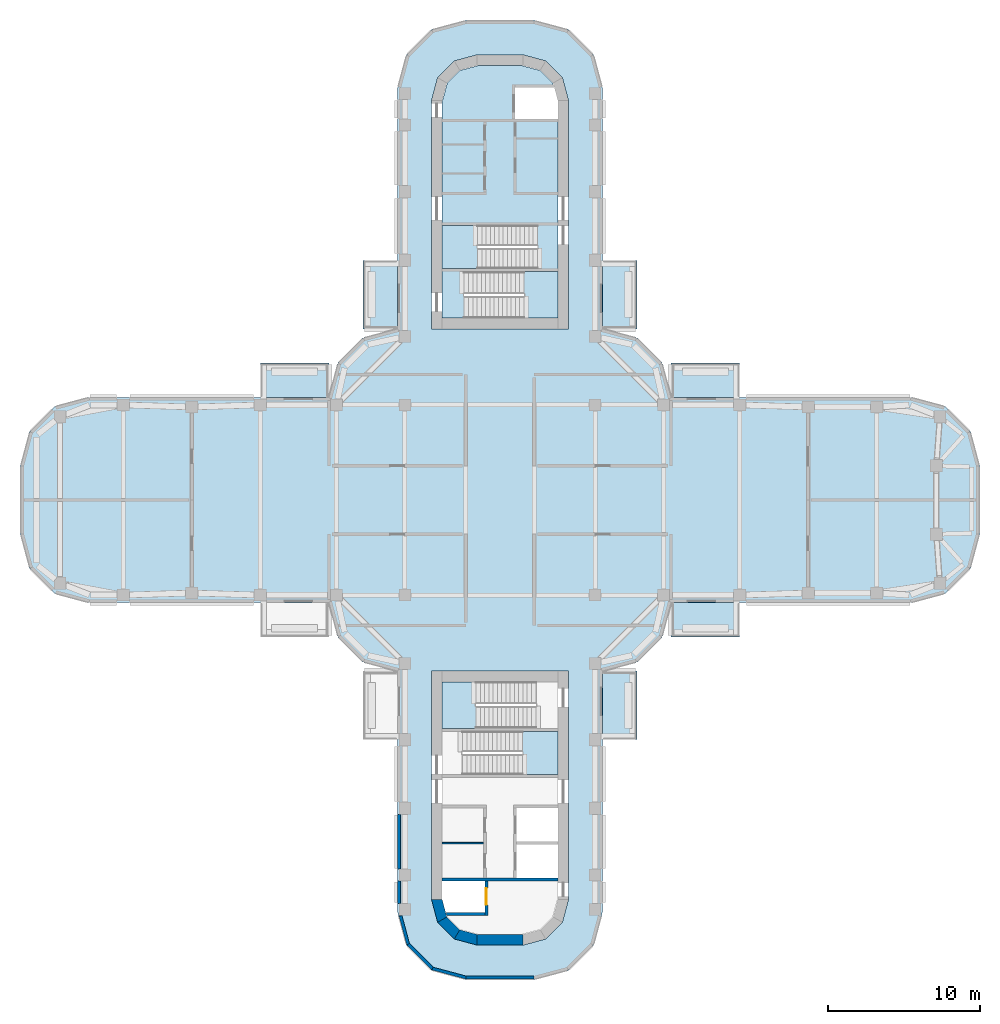
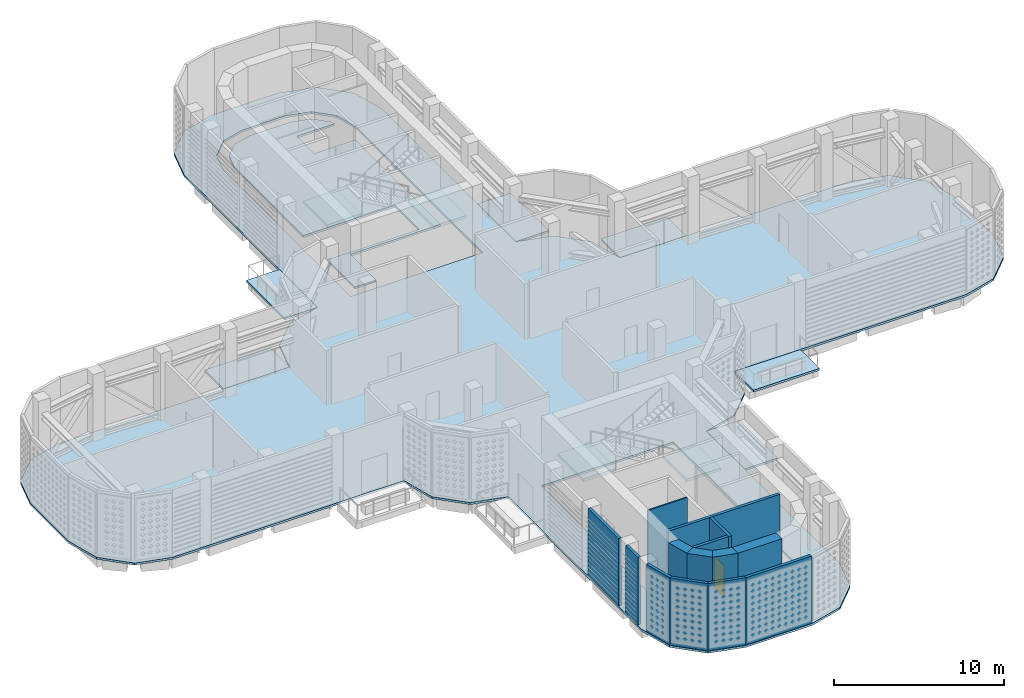
# One storey, part 4 of 21: 14 walls, 12 slabs, 1 door, 1 opening, 4 elements without a shape of their own.
"""IFC4 building model written with IfcOpenShell, lengths in metres."""

from ifc_helpers import new_model, si_unit, direction, frame, frame_2d, origin, place, context, subcontext, project, spatial, polyline, rectangle, outline, extrude, material, layer, layer_set, type_object, element, fill, aggregate, save


model = new_model("IFC4")

# Units and contexts
model_context = context("Model", 3, precision=1e-05, world=origin(), true_north=direction((0.0, 1.0)))
body_context = subcontext(model_context, "Body", "Model", "MODEL_VIEW")
ifc_project = project(units=[si_unit("LENGTHUNIT", "METRE"), si_unit("AREAUNIT", "SQUARE_METRE"), si_unit("VOLUMEUNIT", "CUBIC_METRE"), si_unit("PLANEANGLEUNIT", "RADIAN"), si_unit("MASSUNIT", "GRAM", prefix="KILO")], contexts=[model_context])

# Site, building, storey
site_placement = place(None, origin())
site = spatial("IfcSite", under=ifc_project, at=site_placement, CompositionType="ELEMENT")
building_placement = place(site_placement, origin())
building = spatial("IfcBuilding", under=site, at=building_placement, Name="Zarbagh Exchange Tower", CompositionType="ELEMENT")
storey_placement = place(building_placement, frame((0.0, 0.0, 190.39990234375)))
storey = spatial("IfcBuildingStorey", under=building, at=storey_placement, Name="L46", CompositionType="ELEMENT", Elevation=190.39990234375)

# Slabs
ifc_material_1 = material(Name="Concrete C40/50", Category="concrete")
ifc_layer_1 = layer(ifc_material_1, 0.14990234375)
ifc_layer_set_1 = layer_set([ifc_layer_1], Name="Composite floor slab 150 C40/50")
slab_type_1 = type_object("IfcSlabType", Name="Composite floor slab 150 C40/50", PredefinedType="FLOOR", material=ifc_layer_set_1)
slab_1_placement = place(storey_placement, frame((0.0, 0.0, -0.14990234375)))
element("IfcSlab", 1, at=slab_1_placement, inside=storey, type_object=slab_type_1, Name="S5 composite floor slab", PredefinedType="FLOOR", context=body_context, shape_type="SweptSolid", body=[
    extrude(outline(polyline([(-2.25, -31.5), (-4.5, -30.897216796875), (-6.147216796875, -29.25), (-6.75, -27.0), (-6.75, -11.25), (-9.0, -10.647216796875), (-10.647216796875, -9.0), (-11.25, -6.75), (-27.0, -6.75), (-29.25, -6.147216796875), (-30.897216796875, -4.5), (-31.5, -2.25), (-31.5, 2.25), (-30.897216796875, 4.5), (-29.25, 6.147216796875), (-27.0, 6.75), (-11.25, 6.75), (-10.647216796875, 9.0), (-9.0, 10.647216796875), (-6.75, 11.25), (-6.75, 27.0), (-6.147216796875, 29.25), (-4.5, 30.897216796875), (-2.25, 31.5), (2.25, 31.5), (4.5, 30.897216796875), (6.147216796875, 29.25), (6.75, 27.0), (6.75, 11.25), (9.0, 10.647216796875), (10.647216796875, 9.0), (11.25, 6.75), (27.0, 6.75), (29.25, 6.147216796875), (30.897216796875, 4.5), (31.5, 2.25), (31.5, -2.25), (30.897216796875, -4.5), (29.25, -6.147216796875), (27.0, -6.75), (11.25, -6.75), (10.647216796875, -9.0), (9.0, -10.647216796875), (6.75, -11.25), (6.75, -27.0), (6.147216796875, -29.25), (4.5, -30.897216796875), (2.25, -31.5), (-2.25, -31.5)]), holes=[polyline([(4.5, 11.25), (4.5, 26.25), (4.09814453125, 27.75), (3.0, 28.84814453125), (1.5, 29.25), (-1.5, 29.25), (-3.0, 28.84814453125), (-4.09814453125, 27.75), (-4.5, 26.25), (-4.5, 11.25), (4.5, 11.25)]), polyline([(-1.5, -29.25), (1.5, -29.25), (3.0, -28.84814453125), (4.09814453125, -27.75), (4.5, -26.25), (4.5, -11.25), (-4.5, -11.25), (-4.5, -26.25), (-4.09814453125, -27.75), (-3.0, -28.84814453125), (-1.5, -29.25)])]), origin(), (0.0, 0.0, 1.0), 0.14990234375),
])
ifc_layer_2 = layer(ifc_material_1, 0.14990234375)
ifc_layer_set_2 = layer_set([ifc_layer_2], Name="Core floor slab 150 C40/50")
slab_type_2 = type_object("IfcSlabType", Name="Core floor slab 150 C40/50", PredefinedType="FLOOR", material=ifc_layer_set_2)
slab_2_placement = place(storey_placement, frame((0.0, 0.0, -0.14990234375)))
element("IfcSlab", 2, at=slab_2_placement, inside=storey, type_object=slab_type_2, Name="S17 core N", PredefinedType="FLOOR", context=body_context, shape_type="SweptSolid", body=[
    extrude(outline(polyline([(-3.800048828125, 11.949951171875), (-3.800048828125, 15.199951171875), (2.449951171875, 15.199951171875), (2.449951171875, 18.050048828125), (-3.800048828125, 18.050048828125), (-3.800048828125, 26.15771484375), (-3.470458984375, 27.3876953125), (-2.6376953125, 28.220458984375), (-1.40771484375, 28.550048828125), (1.40771484375, 28.550048828125), (2.6376953125, 28.220458984375), (3.470458984375, 27.3876953125), (3.800048828125, 26.15771484375), (3.800048828125, 26.15771484375), (3.547607421875, 27.10009765625), (1.0, 27.10009765625), (1.0, 25.050048828125), (3.800048828125, 25.050048828125), (3.800048828125, 15.0), (-2.35009765625, 15.0), (-2.35009765625, 11.949951171875), (-3.800048828125, 11.949951171875)])), origin(), (0.0, 0.0, 1.0), 0.14990234375),
])

# Stair, slab
stair_type = type_object("IfcStairType", Name="Exit stair two-flight half-turn", PredefinedType="HALF_TURN_STAIR", material=ifc_material_1)
stair_1_placement = place(storey_placement, origin())
stair_1 = element("IfcStair", 3, at=stair_1_placement, inside=storey, type_object=stair_type, Name="exit stair ST1", PredefinedType="HALF_TURN_STAIR")
ifc_layer_3 = layer(ifc_material_1, 0.199951171875)
ifc_layer_set_3 = layer_set([ifc_layer_3], Name="Stair landing 200 mm")
slab_type_3 = type_object("IfcSlabType", Name="Stair landing 200 mm", PredefinedType="LANDING", material=ifc_layer_set_3)
slab_3_placement = place(storey_placement, frame((0.0, 0.0, 2.300048828125)))
slab_3 = element("IfcSlab", 4, at=slab_3_placement, type_object=slab_type_3, Name="ST1 landing 1", PredefinedType="LANDING", context=body_context, shape_type="SweptSolid", body=[
    extrude(outline(polyline([(-1.469970703125, 18.050048828125), (-3.800048828125, 18.050048828125), (-3.800048828125, 15.199951171875), (-1.469970703125, 15.199951171875), (-1.469970703125, 18.050048828125)])), origin(), (0.0, 0.0, 1.0), 0.199951171875),
])
aggregate(stair_1, [slab_3])

stair_2_placement = place(storey_placement, origin())
stair_2 = element("IfcStair", 5, at=stair_2_placement, inside=storey, type_object=stair_type, Name="exit stair ST2", PredefinedType="HALF_TURN_STAIR")
slab_4_placement = place(storey_placement, frame((0.0, 0.0, 2.300048828125)))
slab_4 = element("IfcSlab", 6, at=slab_4_placement, type_object=slab_type_3, Name="ST2 landing 1", PredefinedType="LANDING", context=body_context, shape_type="SweptSolid", body=[
    extrude(outline(polyline([(1.570068359375, 11.949951171875), (3.800048828125, 11.949951171875), (3.800048828125, 15.0), (1.570068359375, 15.0), (1.570068359375, 11.949951171875)])), origin(), (0.0, 0.0, 1.0), 0.199951171875),
])
aggregate(stair_2, [slab_4])

stair_3_placement = place(storey_placement, origin())
stair_3 = element("IfcStair", 7, at=stair_3_placement, inside=storey, type_object=stair_type, Name="exit stair ST3", PredefinedType="HALF_TURN_STAIR")
slab_5_placement = place(storey_placement, frame((0.0, 0.0, 2.300048828125)))
slab_5 = element("IfcSlab", 8, at=slab_5_placement, type_object=slab_type_3, Name="ST3 landing 1", PredefinedType="LANDING", context=body_context, shape_type="SweptSolid", body=[
    extrude(outline(polyline([(1.469970703125, -18.050048828125), (3.800048828125, -18.050048828125), (3.800048828125, -15.199951171875), (1.469970703125, -15.199951171875), (1.469970703125, -18.050048828125)])), origin(), (0.0, 0.0, 1.0), 0.199951171875),
])
aggregate(stair_3, [slab_5])

stair_4_placement = place(storey_placement, origin())
stair_4 = element("IfcStair", 9, at=stair_4_placement, inside=storey, type_object=stair_type, Name="exit stair ST4", PredefinedType="HALF_TURN_STAIR")
slab_6_placement = place(storey_placement, frame((0.0, 0.0, 2.300048828125)))
slab_6 = element("IfcSlab", 10, at=slab_6_placement, type_object=slab_type_3, Name="ST4 landing 1", PredefinedType="LANDING", context=body_context, shape_type="SweptSolid", body=[
    extrude(outline(polyline([(-1.570068359375, -11.949951171875), (-3.800048828125, -11.949951171875), (-3.800048828125, -15.0), (-1.570068359375, -15.0), (-1.570068359375, -11.949951171875)])), origin(), (0.0, 0.0, 1.0), 0.199951171875),
])
aggregate(stair_4, [slab_6])

# Slabs
ifc_layer_4 = layer(ifc_material_1, 0.14990234375)
ifc_layer_set_4 = layer_set([ifc_layer_4], Name="Winter garden terrace slab 150 C40/50")
slab_type_4 = type_object("IfcSlabType", Name="Winter garden terrace slab 150 C40/50", PredefinedType="USERDEFINED", material=ifc_layer_set_4)
slab_7_placement = place(storey_placement, frame((0.0, 0.0, -0.14990234375)))
element("IfcSlab", 11, at=slab_7_placement, inside=storey, type_object=slab_type_4, Name="S9 winter garden terrace slab", ObjectType="Winter garden slab", PredefinedType="USERDEFINED", context=body_context, shape_type="SweptSolid", body=[
    extrude(outline(polyline([(9.0, 11.25), (9.0, 15.75), (6.75, 15.75), (6.75, 11.25), (9.0, 11.25)])), origin(), (0.0, 0.0, 1.0), 0.14990234375),
])
slab_8_placement = place(storey_placement, frame((0.0, 0.0, -0.14990234375)))
element("IfcSlab", 12, at=slab_8_placement, inside=storey, type_object=slab_type_4, Name="S9 winter garden terrace slab", ObjectType="Winter garden slab", PredefinedType="USERDEFINED", context=body_context, shape_type="SweptSolid", body=[
    extrude(outline(polyline([(15.75, 6.75), (15.75, 9.0), (11.25, 9.0), (11.25, 6.75), (15.75, 6.75)])), origin(), (0.0, 0.0, 1.0), 0.14990234375),
])
slab_9_placement = place(storey_placement, frame((0.0, 0.0, -0.14990234375)))
element("IfcSlab", 13, at=slab_9_placement, inside=storey, type_object=slab_type_4, Name="S9 winter garden terrace slab", ObjectType="Winter garden slab", PredefinedType="USERDEFINED", context=body_context, shape_type="SweptSolid", body=[
    extrude(outline(polyline([(9.0, -15.75), (9.0, -11.25), (6.75, -11.25), (6.75, -15.75), (9.0, -15.75)])), origin(), (0.0, 0.0, 1.0), 0.14990234375),
])
slab_10_placement = place(storey_placement, frame((0.0, 0.0, -0.14990234375)))
element("IfcSlab", 14, at=slab_10_placement, inside=storey, type_object=slab_type_4, Name="S9 winter garden terrace slab", ObjectType="Winter garden slab", PredefinedType="USERDEFINED", context=body_context, shape_type="SweptSolid", body=[
    extrude(outline(polyline([(15.75, -9.0), (15.75, -6.75), (11.25, -6.75), (11.25, -9.0), (15.75, -9.0)])), origin(), (0.0, 0.0, 1.0), 0.14990234375),
])
slab_11_placement = place(storey_placement, frame((0.0, 0.0, -0.14990234375)))
element("IfcSlab", 15, at=slab_11_placement, inside=storey, type_object=slab_type_4, Name="S9 winter garden terrace slab", ObjectType="Winter garden slab", PredefinedType="USERDEFINED", context=body_context, shape_type="SweptSolid", body=[
    extrude(outline(polyline([(-6.75, 11.25), (-6.75, 15.75), (-9.0, 15.75), (-9.0, 11.25), (-6.75, 11.25)])), origin(), (0.0, 0.0, 1.0), 0.14990234375),
])
slab_12_placement = place(storey_placement, frame((0.0, 0.0, -0.14990234375)))
element("IfcSlab", 16, at=slab_12_placement, inside=storey, type_object=slab_type_4, Name="S9 winter garden terrace slab", ObjectType="Winter garden slab", PredefinedType="USERDEFINED", context=body_context, shape_type="SweptSolid", body=[
    extrude(outline(polyline([(-11.25, 6.75), (-11.25, 9.0), (-15.75, 9.0), (-15.75, 6.75), (-11.25, 6.75)])), origin(), (0.0, 0.0, 1.0), 0.14990234375),
])

# Walls
ifc_material_2 = material(Name="Dense blockwork", Category="masonry")
ifc_layer_5 = layer(ifc_material_2, 0.10009765625)
ifc_layer_set_5 = layer_set([ifc_layer_5], Name="Core partition 100 mm blockwork")
wall_type_1 = type_object("IfcWallType", Name="Core partition 100 mm blockwork", PredefinedType="PARTITIONING", material=ifc_layer_set_5)
wall_1_placement = place(storey_placement, frame((-1.10009765625, -22.550048828125, 0.0), z_axis=(0.0, 0.0, 1.0), x_axis=(-1.0, 0.0, 0.0)))
element("IfcWall", 17, at=wall_1_placement, inside=storey, type_object=wall_type_1, Name="South core partition wall CUT-E-580", PredefinedType="PARTITIONING", context=body_context, shape_type="SweptSolid", body=[
    extrude(rectangle(XDim=2.699951171875, YDim=0.10009765625, at=frame_2d((1.35009765625, 0.0))), origin(), (0.0, 0.0, 1.0), 4.85009765625),
])
ifc_material_3 = material(Name="Precast concrete C50/60", Category="concrete")
ifc_layer_6 = layer(ifc_material_3, 0.199951171875)
ifc_layer_set_6 = layer_set([ifc_layer_6], Name="Plant wall, precast concrete C50/60")
wall_type_2 = type_object("IfcWallType", Name="Plant wall, precast concrete C50/60", PredefinedType="SOLIDWALL", material=ifc_layer_set_6)
wall_2_placement = place(storey_placement, origin())
element("IfcWall", 18, at=wall_2_placement, inside=storey, type_object=wall_type_2, Name="PW80 plant wall", PredefinedType="SOLIDWALL", context=body_context, shape_type="SweptSolid", body=[
    extrude(outline(polyline([(-6.72998046875, -20.64990234375), (-6.72998046875, -24.25), (-6.530029296875, -24.25), (-6.530029296875, -20.64990234375), (-6.72998046875, -20.64990234375)])), origin(), (0.0, 0.0, 1.0), 4.85009765625),
])
wall_3_placement = place(storey_placement, origin())
element("IfcWall", 19, at=wall_3_placement, inside=storey, type_object=wall_type_2, Name="PW80 plant wall", PredefinedType="SOLIDWALL", context=body_context, shape_type="SweptSolid", body=[
    extrude(outline(polyline([(-6.72998046875, -25.050048828125), (-6.72998046875, -26.5), (-6.530029296875, -26.5), (-6.530029296875, -25.050048828125), (-6.72998046875, -25.050048828125)])), origin(), (0.0, 0.0, 1.0), 4.85009765625),
])
wall_4_placement = place(storey_placement, origin())
element("IfcWall", 20, at=wall_4_placement, inside=storey, type_object=wall_type_2, Name="PW81 plant wall", PredefinedType="SOLIDWALL", context=body_context, shape_type="SweptSolid", body=[
    extrude(outline(polyline([(-6.634765625, -27.352294921875), (-6.129150390625, -29.23974609375), (-5.949951171875, -29.13623046875), (-6.441650390625, -27.300537109375), (-6.634765625, -27.352294921875)])), origin(), (0.0, 0.0, 1.0), 4.85009765625),
])
wall_5_placement = place(storey_placement, origin())
element("IfcWall", 21, at=wall_5_placement, inside=storey, type_object=wall_type_2, Name="PW82 plant wall", PredefinedType="SOLIDWALL", context=body_context, shape_type="SweptSolid", body=[
    extrude(outline(polyline([(-6.129150390625, -29.23974609375), (-4.48974609375, -30.879150390625), (-4.38623046875, -30.699951171875), (-5.949951171875, -29.13623046875), (-6.129150390625, -29.23974609375)])), origin(), (0.0, 0.0, 1.0), 4.85009765625),
])
wall_6_placement = place(storey_placement, origin())
element("IfcWall", 22, at=wall_6_placement, inside=storey, type_object=wall_type_2, Name="PW83 plant wall", PredefinedType="SOLIDWALL", context=body_context, shape_type="SweptSolid", body=[
    extrude(outline(polyline([(-4.48974609375, -30.879150390625), (-2.247314453125, -31.47998046875), (-2.220947265625, -31.280029296875), (-4.38623046875, -30.699951171875), (-4.48974609375, -30.879150390625)])), origin(), (0.0, 0.0, 1.0), 4.85009765625),
])
wall_7_placement = place(storey_placement, origin())
element("IfcWall", 23, at=wall_7_placement, inside=storey, type_object=wall_type_2, Name="PW84 plant wall", PredefinedType="SOLIDWALL", context=body_context, shape_type="SweptSolid", body=[
    extrude(outline(polyline([(-2.247314453125, -31.47998046875), (2.247314453125, -31.47998046875), (2.220947265625, -31.280029296875), (-2.220947265625, -31.280029296875), (-2.247314453125, -31.47998046875)])), origin(), (0.0, 0.0, 1.0), 4.85009765625),
])
ifc_material_4 = material(Name="Concrete C50/60", Category="concrete")
ifc_layer_7 = layer(ifc_material_4, 0.699951171875)
ifc_layer_set_7 = layer_set([ifc_layer_7], Name="RC core corner wall 700 C50/60")
wall_type_3 = type_object("IfcWallType", Name="RC core corner wall 700 C50/60", PredefinedType="SHEAR", material=ifc_layer_set_7)
wall_8_placement = place(storey_placement, origin())
element("IfcWall", 24, at=wall_8_placement, inside=storey, type_object=wall_type_3, Name="CW6 core S corner W", PredefinedType="SHEAR", context=body_context, shape_type="SweptSolid", body=[
    extrude(outline(polyline([(-4.5, -26.25), (-4.09814453125, -27.75), (-3.491943359375, -27.39990234375), (-3.800048828125, -26.25), (-4.5, -26.25)])), origin(), (0.0, 0.0, 1.0), 5.0),
])
wall_9_placement = place(storey_placement, origin())
element("IfcWall", 25, at=wall_9_placement, inside=storey, type_object=wall_type_3, Name="CW6 core S corner W", PredefinedType="SHEAR", context=body_context, shape_type="SweptSolid", body=[
    extrude(outline(polyline([(-4.09814453125, -27.75), (-3.0, -28.84814453125), (-2.64990234375, -28.241943359375), (-3.491943359375, -27.39990234375), (-4.09814453125, -27.75)])), origin(), (0.0, 0.0, 1.0), 5.0),
])
wall_10_placement = place(storey_placement, origin())
element("IfcWall", 26, at=wall_10_placement, inside=storey, type_object=wall_type_3, Name="CW6 core S corner W", PredefinedType="SHEAR", context=body_context, shape_type="SweptSolid", body=[
    extrude(outline(polyline([(-3.0, -28.84814453125), (-1.5, -29.25), (-1.5, -28.550048828125), (-2.64990234375, -28.241943359375), (-3.0, -28.84814453125)])), origin(), (0.0, 0.0, 1.0), 5.0),
])
ifc_layer_8 = layer(ifc_material_4, 0.699951171875)
ifc_layer_set_8 = layer_set([ifc_layer_8], Name="RC core wall 700 C50/60")
wall_type_4 = type_object("IfcWallType", Name="RC core wall 700 C50/60", PredefinedType="SHEAR", material=ifc_layer_set_8)
wall_11_placement = place(storey_placement, frame((-1.5, -28.89990234375, 0.0), z_axis=(0.0, 0.0, 1.0), x_axis=(1.0, 0.0, 0.0)))
element("IfcWall", 27, at=wall_11_placement, inside=storey, type_object=wall_type_4, Name="CW5 core S outer end", PredefinedType="SHEAR", context=body_context, shape_type="SweptSolid", body=[
    extrude(rectangle(XDim=3.0, YDim=0.699951171875, at=frame_2d((1.5, 0.0))), origin(), (0.0, 0.0, 1.0), 5.0),
])
ifc_layer_9 = layer(ifc_material_1, 0.199951171875)
ifc_layer_set_9 = layer_set([ifc_layer_9], Name="Stair enclosure wall 200 mm RC C40/50")
wall_type_5 = type_object("IfcWallType", Name="Stair enclosure wall 200 mm RC C40/50", PredefinedType="SHEAR", material=ifc_layer_set_9)
wall_12_placement = place(storey_placement, frame((3.800048828125, -24.949951171875, 0.0), z_axis=(0.0, 0.0, 1.0), x_axis=(-1.0, 0.0, 0.0)))
element("IfcWall", 28, at=wall_12_placement, inside=storey, type_object=wall_type_5, Name="South core lift shaft wall FFA", PredefinedType="SHEAR", context=body_context, shape_type="SweptSolid", body=[
    extrude(rectangle(XDim=7.60009765625, YDim=0.199951171875, at=frame_2d((3.800048828125, 0.0))), origin(), (0.0, 0.0, 1.0), 4.85009765625),
])

# Wall, opening, door
wall_13_placement = place(storey_placement, frame((-0.89990234375, -27.300048828125, 0.0), z_axis=(0.0, 0.0, 1.0), x_axis=(0.0, 1.0, 0.0)))
wall_13 = element("IfcWall", 29, at=wall_13_placement, inside=storey, type_object=wall_type_5, Name="South core lift shaft wall FFL", PredefinedType="SHEAR", context=body_context, shape_type="SweptSolid", body=[
    extrude(rectangle(XDim=2.25, YDim=0.199951171875, at=frame_2d((1.125, 0.0))), origin(), (0.0, 0.0, 1.0), 4.85009765625),
])
opening_placement = place(wall_13_placement, frame((0.699951171875, 0.0, 0.0)))
opening = element("IfcOpeningElement", 30, at=opening_placement, cuts=wall_13, Name="Opening LD-1100", PredefinedType="OPENING", context=body_context, shape_type="SweptSolid", body=[
    extrude(rectangle(XDim=1.10009765625, YDim=2.300048828125, at=frame_2d((0.550048828125, 1.14990234375))), frame((0.0, 0.10986328125, 0.0), z_axis=(0.0, -1.0, 0.0), x_axis=(1.0, 0.0, 0.0)), (0.0, 0.0, 1.0), 0.219970703125),
])
ifc_material_5 = material(Name="Stainless steel", Category="steel")
door_type = type_object("IfcDoorType", Name="Lift landing door 1100 x 2300", OperationType="NOTDEFINED", PredefinedType="DOOR", material=ifc_material_5)
door_placement = place(opening_placement, origin())
door = element("IfcDoor", 31, at=door_placement, inside=storey, type_object=door_type, Name="South core lift landing door LD-F", OperationType="DOUBLE_DOOR_SLIDING", OverallHeight=2.300048828125, OverallWidth=1.10009765625, PredefinedType="DOOR", context=body_context, shape_type="SweptSolid", body=[
    extrude(rectangle(XDim=1.10009765625, YDim=2.300048828125, at=frame_2d((0.550048828125, 1.14990234375))), frame((0.0, 0.02490234375, 0.0), z_axis=(0.0, -1.0, 0.0), x_axis=(1.0, 0.0, 0.0)), (0.0, 0.0, 1.0), 0.050048828125),
])
fill(opening, door)

# Wall
wall_14_placement = place(storey_placement, origin())
element("IfcWall", 32, at=wall_14_placement, inside=storey, type_object=wall_type_5, Name="South core lift shaft wall FFX", PredefinedType="SHEAR", context=body_context, shape_type="SweptSolid", body=[
    extrude(outline(polyline([(-1.0, -27.10009765625), (-3.547607421875, -27.10009765625), (-3.493896484375, -27.300048828125), (-1.0, -27.300048828125), (-1.0, -27.10009765625)])), origin(), (0.0, 0.0, 1.0), 4.85009765625),
])

save(model, "model.ifc")
